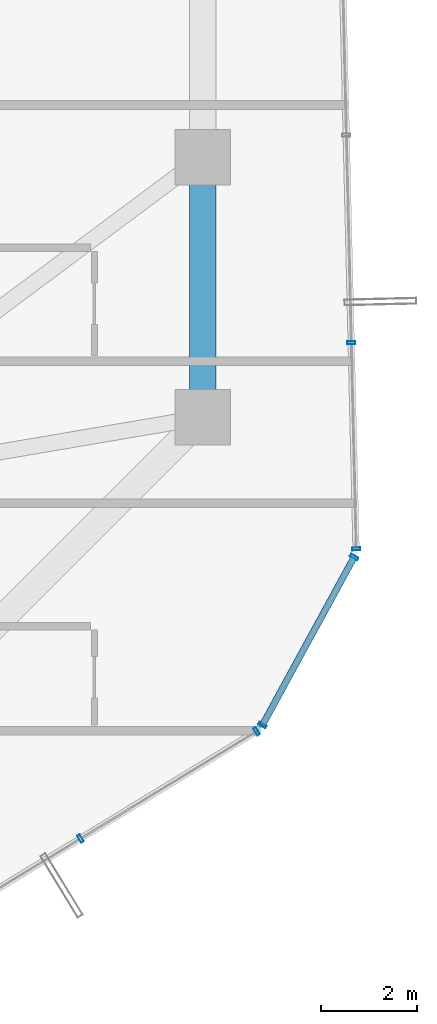
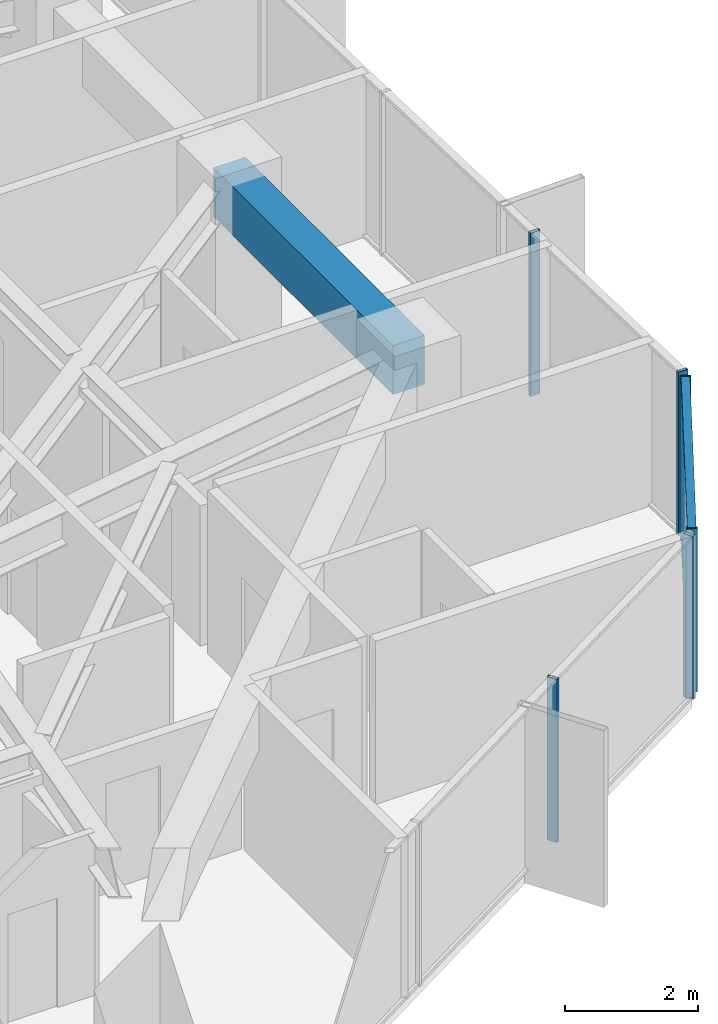
# One storey, part 13 of 31: 8 members, 1 beam, 3 elements without a shape of their own.
"""IFC4 building model written with IfcOpenShell, lengths in metres."""

import ifcopenshell
import ifcopenshell.guid

model = None  # the IFC model being written
_history = None  # IfcOwnerHistory: only IFC2X3 demands one
_inside = {}  # id of a spatial element -> (the spatial element, [elements in it])
_under = {}  # id of a project, library or spatial element -> (it, [spatial elements below it])
_declared = {}  # id of a project -> (the project, [libraries it declares])
_typed = {}  # id of a type object -> (the type object, [elements of that type])
_made_of = {}  # id of a material, layer set ... -> (it, [elements and type objects made of it])


def new_model(schema):
    """Start an empty IFC model of exactly this schema.

    Asked for "IFC4X3", IfcOpenShell would pick the latest addendum, in which some entities
    have other attributes; the version numbers below select the first issue.
    IFC2X3 requires an IfcOwnerHistory on every rooted entity: one is made here for all.
    """
    global model, _history
    if schema == "IFC4X3":
        model = ifcopenshell.file(schema_version=(4, 3, 0, 0))
    else:
        model = ifcopenshell.file(schema=schema)
    _inside.clear()
    _under.clear()
    _declared.clear()
    _typed.clear()
    _made_of.clear()
    _history = None
    if model.schema == "IFC2X3":
        org = make("IfcOrganization", Name="unknown")
        user = make(
            "IfcPersonAndOrganization",
            ThePerson=make("IfcPerson", FamilyName="unknown"),
            TheOrganization=org,
        )
        app = make(
            "IfcApplication",
            ApplicationDeveloper=org,
            Version="unknown",
            ApplicationFullName="unknown",
            ApplicationIdentifier="unknown",
        )
        _history = make(
            "IfcOwnerHistory",
            OwningUser=user,
            OwningApplication=app,
            ChangeAction="ADDED",
            CreationDate=0,
        )
    return model


def make(cls, **values):
    """One entity of the class cls with the attributes given. An attribute that is None is left unset."""
    return model.create_entity(
        cls, **{name: value for name, value in values.items() if value is not None}
    )


def rooted(cls, **values):
    """An entity with a GlobalId (a new one), such as an element, a storey or a relation."""
    return make(cls, GlobalId=ifcopenshell.guid.new(), OwnerHistory=_history, **values)


def si_unit(unit_type, name, prefix=None):
    """IfcSIUnit, for example si_unit("LENGTHUNIT", "METRE", prefix="MILLI")."""
    return make("IfcSIUnit", UnitType=unit_type, Prefix=prefix, Name=name)


def assignment(units):
    """IfcUnitAssignment: the units of a project."""
    return None if units is None else make("IfcUnitAssignment", Units=units)


def point(xyz):
    """IfcCartesianPoint."""
    return None if xyz is None else make("IfcCartesianPoint", Coordinates=xyz)


def direction(xyz):
    """IfcDirection."""
    return None if xyz is None else make("IfcDirection", DirectionRatios=xyz)


def frame(location, z_axis=None, x_axis=None):
    """IfcAxis2Placement3D, a coordinate frame: its origin and axes. An axis left out is left unset."""
    return make(
        "IfcAxis2Placement3D",
        Location=point(location),
        Axis=direction(z_axis),
        RefDirection=direction(x_axis),
    )


def frame_2d(location, x_axis=None):
    """IfcAxis2Placement2D, a coordinate frame in the plane: its origin and x axis."""
    return make(
        "IfcAxis2Placement2D", Location=point(location), RefDirection=direction(x_axis)
    )


def origin():
    """The frame at (0, 0, 0) with its axes left unset."""
    return frame((0.0, 0.0, 0.0))


def origin_2d():
    """The frame at (0, 0) in the plane with its x axis left unset."""
    return frame_2d((0.0, 0.0))


def place(relative_to, where):
    """IfcLocalPlacement: puts the frame where relative to a parent placement (None: the world)."""
    return make(
        "IfcLocalPlacement", PlacementRelTo=relative_to, RelativePlacement=where
    )


def context(
    kind, dimensions, precision=None, world=None, true_north=None, identifier=None
):
    """IfcGeometricRepresentationContext, for example the 3D "Model" context."""
    return make(
        "IfcGeometricRepresentationContext",
        ContextIdentifier=identifier,
        ContextType=kind,
        CoordinateSpaceDimension=dimensions,
        Precision=precision,
        WorldCoordinateSystem=world,
        TrueNorth=true_north,
    )


def subcontext(parent, identifier, kind, view, scale=None):
    """IfcGeometricRepresentationSubContext, for example "Body" below "Model"."""
    return make(
        "IfcGeometricRepresentationSubContext",
        ContextIdentifier=identifier,
        ContextType=kind,
        ParentContext=parent,
        TargetScale=scale,
        TargetView=view,
    )


def project(units=None, contexts=None):
    """IfcProject with its units and contexts."""
    return rooted(
        "IfcProject",
        Name="project",
        RepresentationContexts=contexts,
        UnitsInContext=assignment(units),
    )


def spatial(cls, under=None, at=None, **own):
    """A site, building, storey or space (cls), placed at a placement, below another one or the project."""
    s = rooted(cls, ObjectPlacement=at, **own)
    if under is not None:
        _under.setdefault(under.id(), (under, []))[1].append(s)
    return s


def profile(cls, at=None, kind="AREA", **sizes):
    """A parametric profile (cls). Its sizes go by their IFC names, for example OverallWidth=200.0."""
    return make(cls, ProfileType=kind, Position=at, **sizes)


def rectangle(**sizes):
    """IfcRectangleProfileDef."""
    return profile("IfcRectangleProfileDef", **sizes)


def hollow_rectangle(**sizes):
    """IfcRectangleHollowProfileDef."""
    return profile("IfcRectangleHollowProfileDef", **sizes)


def extrude(swept, where, along, depth):
    """IfcExtrudedAreaSolid: the profile swept, set in the frame where, extruded along a direction by depth."""
    return make(
        "IfcExtrudedAreaSolid",
        SweptArea=swept,
        Position=where,
        ExtrudedDirection=direction(along),
        Depth=depth,
    )


def shape(context_of_items, identifier, shape_type, items):
    """IfcShapeRepresentation: the items that make up one representation, for example the "Body"."""
    return make(
        "IfcShapeRepresentation",
        ContextOfItems=context_of_items,
        RepresentationIdentifier=identifier,
        RepresentationType=shape_type,
        Items=items,
    )


def source(mapping_origin, context_of_items, identifier, shape_type, items):
    """IfcRepresentationMap: a shape defined once, which mapped items show again and again."""
    return make(
        "IfcRepresentationMap",
        MappingOrigin=mapping_origin,
        MappedRepresentation=shape(context_of_items, identifier, shape_type, items),
    )


def transform(
    local_origin,
    x_axis=None,
    y_axis=None,
    z_axis=None,
    scale=None,
    scale2=None,
    scale3=None,
    uniform=True,
):
    """IfcCartesianTransformationOperator3D, or its non-uniform kind. x_axis, y_axis, z_axis: its Axis1, 2, 3."""
    if uniform:
        return make(
            "IfcCartesianTransformationOperator3D",
            Axis1=direction(x_axis),
            Axis2=direction(y_axis),
            LocalOrigin=point(local_origin),
            Scale=scale,
            Axis3=direction(z_axis),
        )
    return make(
        "IfcCartesianTransformationOperator3DnonUniform",
        Axis1=direction(x_axis),
        Axis2=direction(y_axis),
        LocalOrigin=point(local_origin),
        Scale=scale,
        Axis3=direction(z_axis),
        Scale2=scale2,
        Scale3=scale3,
    )


def mapped(mapping_source, mapping_target):
    """IfcMappedItem: shows the shape of a source again, moved by a transform."""
    return make(
        "IfcMappedItem", MappingSource=mapping_source, MappingTarget=mapping_target
    )


def material(Name=None, Category=None):
    """IfcMaterial."""
    return make("IfcMaterial", Name=Name, Category=Category)


def layer(
    of_material, thickness, ventilated=None, Name=None, Category=None, Priority=None
):
    """IfcMaterialLayer: one layer of a wall or slab, of a material (None: an air gap)."""
    return make(
        "IfcMaterialLayer",
        Material=of_material,
        LayerThickness=thickness,
        IsVentilated=ventilated,
        Name=Name,
        Category=Category,
        Priority=Priority,
    )


def layer_set(layers, Name=None):
    """IfcMaterialLayerSet."""
    return make("IfcMaterialLayerSet", MaterialLayers=layers, LayerSetName=Name)


def material_profile(
    of_material, cross_section, Name=None, Category=None, Priority=None
):
    """IfcMaterialProfile: a cross section and its material."""
    return make(
        "IfcMaterialProfile",
        Name=Name,
        Material=of_material,
        Profile=cross_section,
        Priority=Priority,
        Category=Category,
    )


def profile_set(profiles, Name=None, composite=None):
    """IfcMaterialProfileSet."""
    return make(
        "IfcMaterialProfileSet",
        Name=Name,
        MaterialProfiles=profiles,
        CompositeProfile=composite,
    )


def made_of(thing, what):
    """Note that an element or type object is made of a material, layer set ...; save() writes the relation."""
    if what is not None:
        _made_of.setdefault(what.id(), (what, []))[1].append(thing)
    return thing


def type_object(cls, material=None, **own):
    """A type object (cls), such as IfcWallType, which elements share."""
    return made_of(rooted(cls, **own), material)


def element(
    cls,
    number,
    at=None,
    inside=None,
    cuts=None,
    type_object=None,
    material=None,
    context=None,
    identifier="Body",
    shape_type=None,
    held_by="IfcProductDefinitionShape",
    body=None,
    shapes=None,
    **own,
):
    """One element of the class cls, such as IfcWall. Its Tag is "e" and its number.

    at: its placement. inside: the storey or other place that contains it. cuts: it is an
    opening in that element (IfcRelVoidsElement). A single representation is given by context,
    identifier, shape_type and body (its items); several are given by shapes. held_by: the class
    of the entity that holds the representations. save() writes the other relations.
    """
    e = rooted(cls, Tag="e%d" % number, ObjectPlacement=at, **own)
    if body is not None:
        shapes = [shape(context, identifier, shape_type, body)]
    if shapes is not None:
        e.Representation = make(held_by, Representations=shapes)
    if inside is not None:
        _inside.setdefault(inside.id(), (inside, []))[1].append(e)
    if cuts is not None:
        rooted(
            "IfcRelVoidsElement", RelatingBuildingElement=cuts, RelatedOpeningElement=e
        )
    if type_object is not None:
        _typed.setdefault(type_object.id(), (type_object, []))[1].append(e)
    return made_of(e, material)


def aggregate(whole, parts):
    """IfcRelAggregates: a whole, such as a stair, and the parts it consists of."""
    return rooted("IfcRelAggregates", RelatingObject=whole, RelatedObjects=parts)


def save(model, path):
    """Write the relations noted so far, then the file.

    IfcRelAggregates (storeys below a building ...), IfcRelContainedInSpatialStructure (elements
    in a storey), IfcRelDefinesByType, IfcRelAssociatesMaterial and IfcRelDeclares: one each for
    every whole, place, type object, material and project.
    """
    for whole, parts in _under.values():
        aggregate(whole, parts)
    for where, things in _inside.values():
        rooted(
            "IfcRelContainedInSpatialStructure",
            RelatedElements=things,
            RelatingStructure=where,
        )
    for kind, things in _typed.values():
        rooted("IfcRelDefinesByType", RelatedObjects=things, RelatingType=kind)
    for what, things in _made_of.values():
        rooted("IfcRelAssociatesMaterial", RelatedObjects=things, RelatingMaterial=what)
    for by, libraries in _declared.values():
        rooted("IfcRelDeclares", RelatingContext=by, RelatedDefinitions=libraries)
    model.write(path)


model = new_model("IFC4")

# Units and contexts
model_context = context("Model", 3, precision=1e-05, world=origin(), true_north=direction((0.0, 1.0)))
body_context = subcontext(model_context, "Body", "Model", "MODEL_VIEW")
ifc_project = project(units=[si_unit("LENGTHUNIT", "METRE"), si_unit("AREAUNIT", "SQUARE_METRE"), si_unit("VOLUMEUNIT", "CUBIC_METRE"), si_unit("PLANEANGLEUNIT", "RADIAN"), si_unit("MASSUNIT", "GRAM", prefix="KILO")], contexts=[model_context])

# Site, building, storey
site_placement = place(None, origin())
site = spatial("IfcSite", under=ifc_project, at=site_placement, CompositionType="ELEMENT")
building_placement = place(site_placement, origin())
building = spatial("IfcBuilding", under=site, at=building_placement, Name="Veraguas Prism Commons", CompositionType="ELEMENT")
storey_placement = place(building_placement, frame((0.0, 0.0, 132.75)))
storey = spatial("IfcBuildingStorey", under=building, at=storey_placement, Name="L37", CompositionType="ELEMENT", Elevation=132.75)

# Beam
ifc_material_1 = material(Name="Concrete C50/60", Category="concrete")
ifc_material_profile_1 = material_profile(ifc_material_1, rectangle(XDim=0.550048828125, YDim=0.89990234375, at=origin_2d()), Name="RC550X900")
ifc_profile_set_1 = profile_set([ifc_material_profile_1], Name="Concrete C50/60")
beam_type = type_object("IfcBeamType", Name="Perimeter Spandrel Lower RC 550x900", PredefinedType="SPANDREL", material=ifc_profile_set_1)
beam_placement = place(storey_placement, frame((40.199951171875, 18.60009765625, 2.550048828125), z_axis=(0.0, 1.0, 0.0), x_axis=(-1.0, 0.0, 0.0)))
element("IfcBeam", 1, at=beam_placement, inside=storey, type_object=beam_type, Name="Perimeter Spandrel Beam L37-SP01", PredefinedType="SPANDREL", context=body_context, shape_type="SweptSolid", body=[
    extrude(rectangle(XDim=0.550048828125, YDim=0.89990234375, at=origin_2d()), origin(), (0.0, 0.0, 1.0), 5.39990234375),
])

# Curtain wall, members
ifc_material_2 = material(Name="Anodised aluminium EN AW-6063 T6", Category="aluminium")
ifc_layer = layer(ifc_material_2, 0.169921875, Name="Unitised Flush Curtain Wall Zone 2", Category="aluminium")
ifc_layer_set = layer_set([ifc_layer], Name="Anodised aluminium EN AW-6063 T6")
curtain_wall_type = type_object("IfcCurtainWallType", Name="Unitised Flush Curtain Wall Zone 2", PredefinedType="NOTDEFINED", material=ifc_layer_set)
curtain_wall_1_placement = place(storey_placement, origin())
curtain_wall_1 = element("IfcCurtainWall", 2, at=curtain_wall_1_placement, inside=storey, type_object=curtain_wall_type, Name="Tower Facade Curtain Wall L37-F5", PredefinedType="NOTDEFINED")
ifc_material_profile_2 = material_profile(ifc_material_2, hollow_rectangle(XDim=0.06005859375, YDim=0.169921875, WallThickness=0.00390625, at=origin_2d()), Name="AL60X170X4")
ifc_profile_set_2 = profile_set([ifc_material_profile_2], Name="Anodised aluminium EN AW-6063 T6")
member_type_1 = type_object("IfcMemberType", Name="Curtain Wall Mullion Lower AL 60x170x4", PredefinedType="MULLION", material=ifc_profile_set_2)
shared_shape_1 = source(origin(), body_context, "Body", "SweptSolid", [
    extrude(hollow_rectangle(XDim=0.06005859375, YDim=0.169921875, WallThickness=0.00390625, at=origin_2d()), origin(), (0.0, 0.0, 1.0), 3.0),
])
member_1_placement = place(storey_placement, frame((37.662109375, 9.862060546875, 0.0), z_axis=(0.0, 0.0, 1.0), x_axis=(0.853916139162, 0.520410633326, 0.0)))
member_1 = element("IfcMember", 3, at=member_1_placement, type_object=member_type_1, Name="CW-Z2 Mullion 4", PredefinedType="MULLION", context=body_context, shape_type="MappedRepresentation", body=[
    mapped(shared_shape_1, transform((0.0, 0.0, 0.0), scale=1.0)),
])
member_2_placement = place(storey_placement, frame((41.315673828125, 12.088623046875, 0.0), z_axis=(0.0, 0.0, 1.0), x_axis=(0.853916139162, 0.520410633326, 0.0)))
member_2 = element("IfcMember", 4, at=member_2_placement, type_object=member_type_1, Name="CW-Z2 Mullion 5", PredefinedType="MULLION", context=body_context, shape_type="MappedRepresentation", body=[
    mapped(shared_shape_1, transform((0.0, 0.0, 0.0), scale=1.0)),
])
aggregate(curtain_wall_1, [member_1, member_2])

curtain_wall_2_placement = place(storey_placement, origin())
curtain_wall_2 = element("IfcCurtainWall", 5, at=curtain_wall_2_placement, inside=storey, type_object=curtain_wall_type, Name="Tower Facade Curtain Wall L37-F6", PredefinedType="NOTDEFINED")
member_3_placement = place(storey_placement, frame((43.380859375, 15.87060546875, 0.0), z_axis=(0.0, 0.0, 1.0), x_axis=(-0.023737738629, 0.999718220182, 0.0)))
member_3 = element("IfcMember", 6, at=member_3_placement, type_object=member_type_1, Name="CW-Z2 Mullion 1", PredefinedType="MULLION", context=body_context, shape_type="MappedRepresentation", body=[
    mapped(shared_shape_1, transform((0.0, 0.0, 0.0), scale=1.0)),
])
member_4_placement = place(storey_placement, frame((43.279296875, 20.14794921875, 0.0), z_axis=(0.0, 0.0, 1.0), x_axis=(-0.023737738629, 0.999718220182, 0.0)))
member_4 = element("IfcMember", 7, at=member_4_placement, type_object=member_type_1, Name="CW-Z2 Mullion 2", PredefinedType="MULLION", context=body_context, shape_type="MappedRepresentation", body=[
    mapped(shared_shape_1, transform((0.0, 0.0, 0.0), scale=1.0)),
])
aggregate(curtain_wall_2, [member_3, member_4])

curtain_wall_3_placement = place(storey_placement, origin())
curtain_wall_3 = element("IfcCurtainWall", 8, at=curtain_wall_3_placement, inside=storey, type_object=curtain_wall_type, Name="Chamfer Curtain Wall L37-C6", PredefinedType="NOTDEFINED")
member_5_placement = place(storey_placement, frame((41.435546875, 12.214599609375, 0.0), z_axis=(0.0, 0.0, 1.0), x_axis=(0.479293966449, 0.877654427281, 0.0)))
member_5 = element("IfcMember", 9, at=member_5_placement, type_object=member_type_1, Name="CW-Z2 Mullion 1", PredefinedType="MULLION", context=body_context, shape_type="MappedRepresentation", body=[
    mapped(shared_shape_1, transform((0.0, 0.0, 0.0), scale=1.0)),
])
member_6_placement = place(storey_placement, frame((43.33984375, 15.701416015625, 0.0), z_axis=(0.0, 0.0, 1.0), x_axis=(0.479293966449, 0.877654427281, 0.0)))
member_6 = element("IfcMember", 10, at=member_6_placement, type_object=member_type_1, Name="CW-Z2 Mullion 2", PredefinedType="MULLION", context=body_context, shape_type="MappedRepresentation", body=[
    mapped(shared_shape_1, transform((0.0, 0.0, 0.0), scale=1.0)),
])
ifc_material_profile_3 = material_profile(ifc_material_2, hollow_rectangle(XDim=0.054931640625, YDim=0.135009765625, WallThickness=0.0029296875, at=origin_2d()), Name="AL55X135X3")
ifc_profile_set_3 = profile_set([ifc_material_profile_3], Name="Anodised aluminium EN AW-6063 T6")
member_type_2 = type_object("IfcMemberType", Name="Curtain Wall Transom Standard AL 55x135x3", PredefinedType="USERDEFINED", material=ifc_profile_set_3)
shared_shape_2 = source(origin(), body_context, "Body", "SweptSolid", [
    extrude(hollow_rectangle(XDim=0.054931640625, YDim=0.135009765625, WallThickness=0.0029296875, at=origin_2d()), origin(), (0.0, 0.0, 1.0), 3.972900390625),
])
member_7_placement = place(storey_placement, frame((41.435546875, 12.214599609375, 0.027587890625), z_axis=(0.479317055068, 0.877641818011, 0.0), x_axis=(0.0, 0.0, 1.0)))
member_7 = element("IfcMember", 11, at=member_7_placement, type_object=member_type_2, Name="CW-Z2 Transom 1", ObjectType="TRANSOM", PredefinedType="USERDEFINED", context=body_context, shape_type="MappedRepresentation", body=[
    mapped(shared_shape_2, transform((0.0, 0.0, 0.0), scale=1.0)),
])
member_8_placement = place(storey_placement, frame((41.435546875, 12.214599609375, 2.972412109375), z_axis=(0.479317055068, 0.877641818011, 0.0), x_axis=(0.0, 0.0, 1.0)))
member_8 = element("IfcMember", 12, at=member_8_placement, type_object=member_type_2, Name="CW-Z2 Transom 2", ObjectType="TRANSOM", PredefinedType="USERDEFINED", context=body_context, shape_type="MappedRepresentation", body=[
    mapped(shared_shape_2, transform((0.0, 0.0, 0.0), scale=1.0)),
])
aggregate(curtain_wall_3, [member_5, member_6, member_7, member_8])

save(model, "model.ifc")
